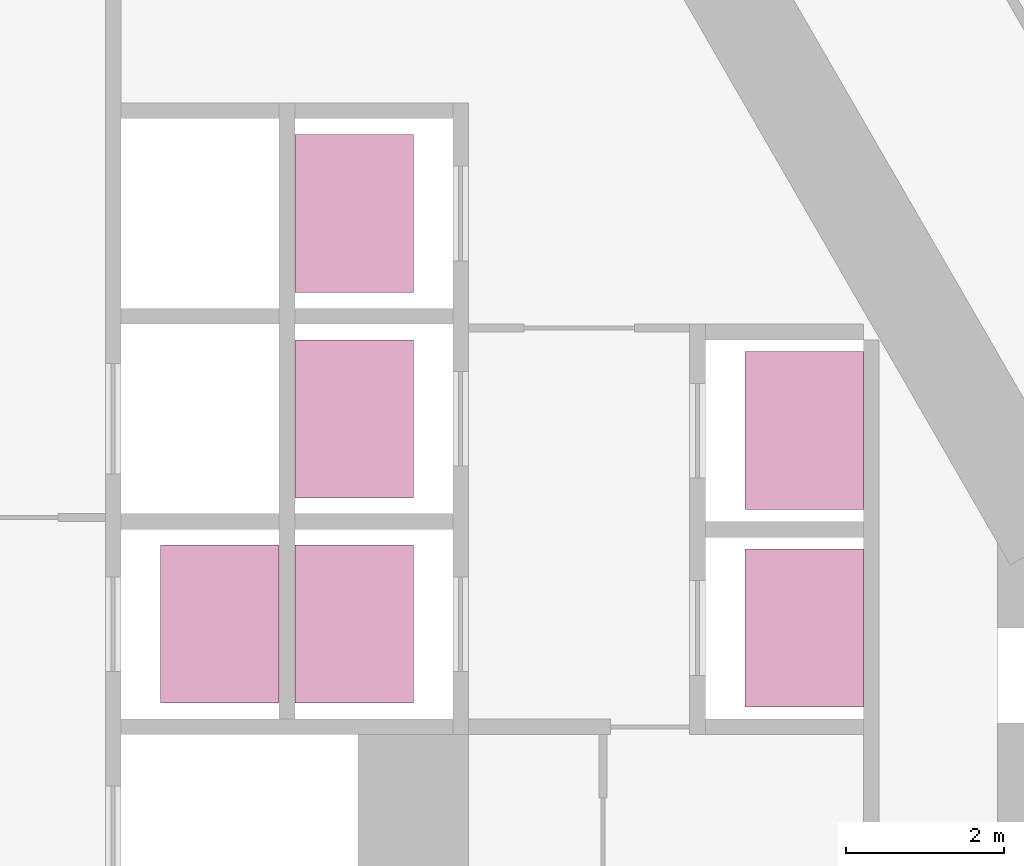
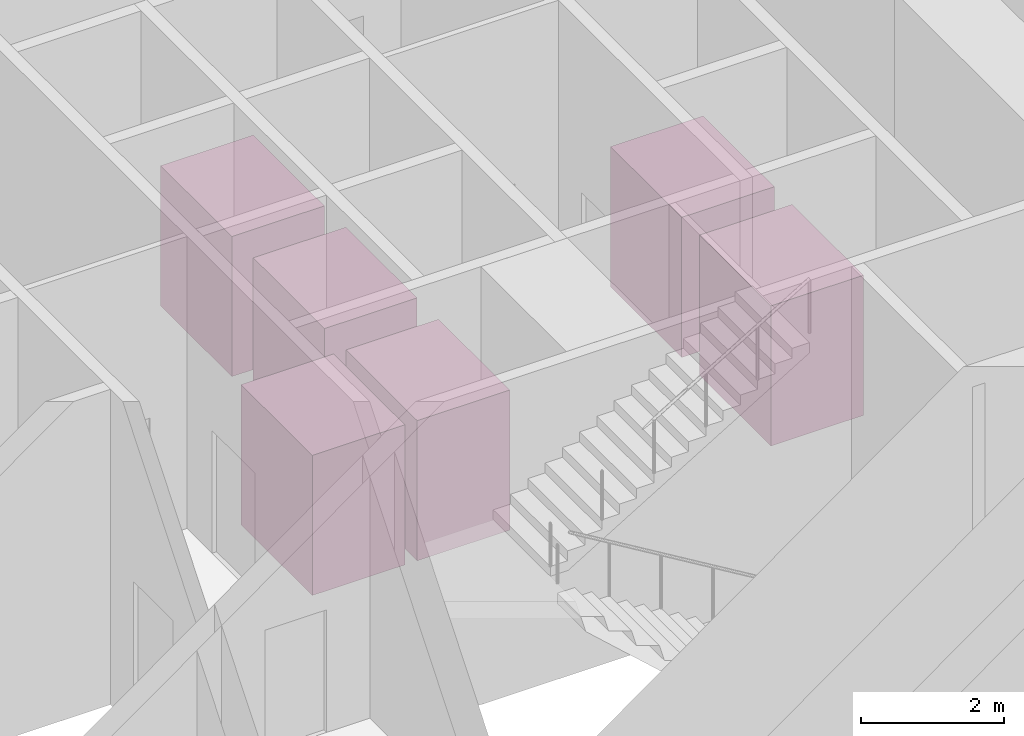
# One storey, part 18 of 18: 6 transport elements.
"""IFC4 building model written with IfcOpenShell, lengths in metres."""

from ifc_helpers import new_model, si_unit, direction, frame, origin, origin_2d, place, context, subcontext, project, spatial, rectangle, extrude, material, type_object, element, save


model = new_model("IFC4")

# Units and contexts
model_context = context("Model", 3, precision=1e-05, world=origin(), true_north=direction((0.0, 1.0)))
body_context = subcontext(model_context, "Body", "Model", "MODEL_VIEW")
ifc_project = project(units=[si_unit("LENGTHUNIT", "METRE"), si_unit("AREAUNIT", "SQUARE_METRE"), si_unit("VOLUMEUNIT", "CUBIC_METRE"), si_unit("PLANEANGLEUNIT", "RADIAN"), si_unit("MASSUNIT", "GRAM", prefix="KILO")], contexts=[model_context])

# Site, building, storey
site_placement = place(None, origin())
site = spatial("IfcSite", under=ifc_project, at=site_placement, CompositionType="ELEMENT")
building_placement = place(site_placement, origin())
building = spatial("IfcBuilding", under=site, at=building_placement, Name="Fogline Exchange Tower", CompositionType="ELEMENT")
storey_placement = place(building_placement, frame((0.0, 0.0, 137.5)))
storey = spatial("IfcBuildingStorey", under=building, at=storey_placement, Name="L30", CompositionType="ELEMENT", Elevation=137.5)

# Transport elements
ifc_material = material(Name="Steel and glass car", Category="steel")
transport_element_type = type_object("IfcTransportElementType", Name="EL-CAR", PredefinedType="ELEVATOR", material=ifc_material)
for number, where, z_axis, x_axis, name in (
    (1, (10.14990234375, 9.60009765625, 0.0), (0.0, 0.0, 1.0), (1.0, 0.0, 0.0), "Lift HR1"),
    (2, (10.14990234375, 12.10009765625, 0.0), (0.0, 0.0, 1.0), (1.0, 0.0, 0.0), "Lift HR2"),
    (3, (2.75, 9.64990234375, 0.0), (0.0, 0.0, 1.0), (1.0, 0.0, 0.0), "Lift HR3"),
    (4, (4.449951171875, 9.64990234375, 0.0), (0.0, 0.0, 1.0), (1.0, 0.0, 0.0), "Lift MR1"),
    (5, (4.449951171875, 12.25, 0.0), (0.0, 0.0, 1.0), (1.0, 0.0, 0.0), "Lift MR2"),
    (6, (4.449951171875, 14.85009765625, 0.0), (0.0, 0.0, 1.0), (1.0, 0.0, 0.0), "Lift MR3"),
):
    element("IfcTransportElement", number, at=place(storey_placement, frame(where, z_axis=z_axis, x_axis=x_axis)), inside=storey, type_object=transport_element_type, Name=name, PredefinedType="ELEVATOR", context=body_context, shape_type="SweptSolid", body=[
        extrude(rectangle(XDim=1.5, YDim=2.0, at=origin_2d()), origin(), (0.0, 0.0, 1.0), 2.39990234375),
    ])

save(model, "model.ifc")
